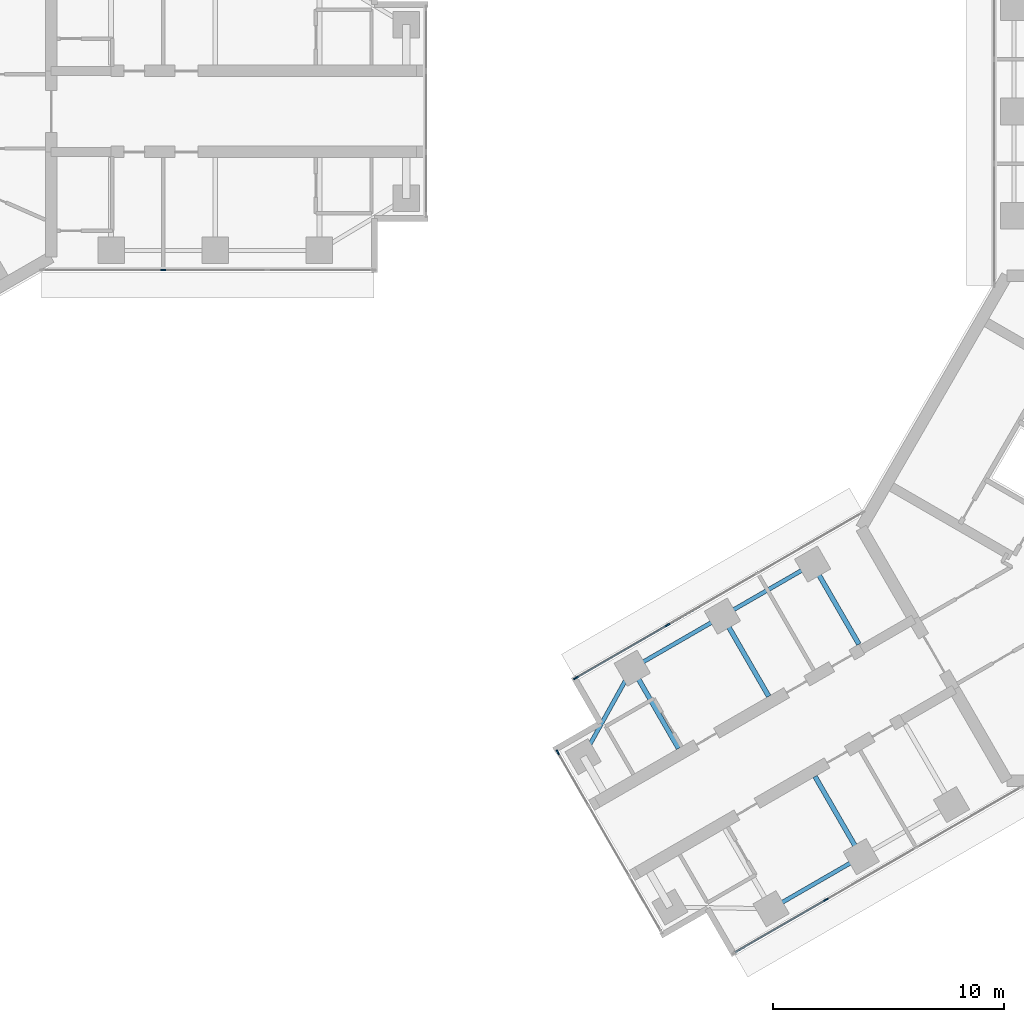
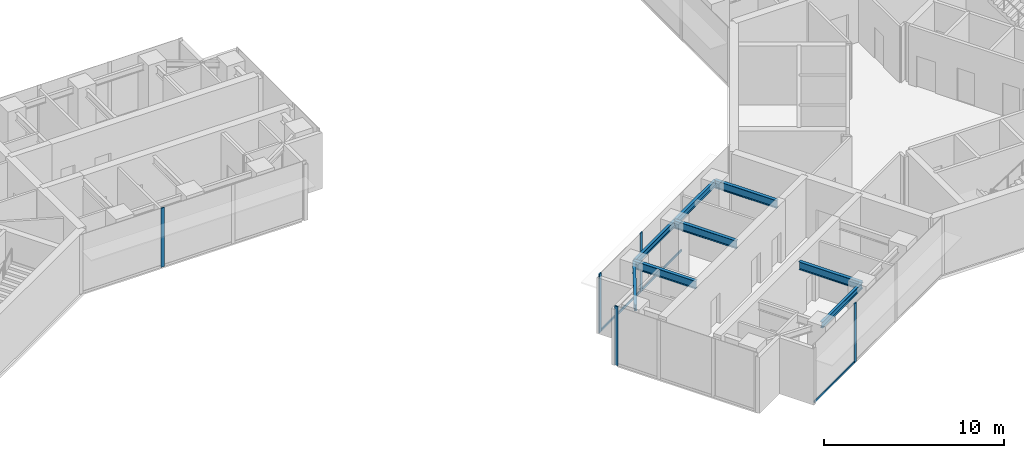
# One storey, part 3 of 17: 8 beams, 8 members, 4 elements without a shape of their own.
"""IFC4 building model written with IfcOpenShell, lengths in metres."""

import ifcopenshell
import ifcopenshell.guid

model = None  # the IFC model being written
_history = None  # IfcOwnerHistory: only IFC2X3 demands one
_inside = {}  # id of a spatial element -> (the spatial element, [elements in it])
_under = {}  # id of a project, library or spatial element -> (it, [spatial elements below it])
_declared = {}  # id of a project -> (the project, [libraries it declares])
_typed = {}  # id of a type object -> (the type object, [elements of that type])
_made_of = {}  # id of a material, layer set ... -> (it, [elements and type objects made of it])


def new_model(schema):
    """Start an empty IFC model of exactly this schema.

    Asked for "IFC4X3", IfcOpenShell would pick the latest addendum, in which some entities
    have other attributes; the version numbers below select the first issue.
    IFC2X3 requires an IfcOwnerHistory on every rooted entity: one is made here for all.
    """
    global model, _history
    if schema == "IFC4X3":
        model = ifcopenshell.file(schema_version=(4, 3, 0, 0))
    else:
        model = ifcopenshell.file(schema=schema)
    _inside.clear()
    _under.clear()
    _declared.clear()
    _typed.clear()
    _made_of.clear()
    _history = None
    if model.schema == "IFC2X3":
        org = make("IfcOrganization", Name="unknown")
        user = make(
            "IfcPersonAndOrganization",
            ThePerson=make("IfcPerson", FamilyName="unknown"),
            TheOrganization=org,
        )
        app = make(
            "IfcApplication",
            ApplicationDeveloper=org,
            Version="unknown",
            ApplicationFullName="unknown",
            ApplicationIdentifier="unknown",
        )
        _history = make(
            "IfcOwnerHistory",
            OwningUser=user,
            OwningApplication=app,
            ChangeAction="ADDED",
            CreationDate=0,
        )
    return model


def make(cls, **values):
    """One entity of the class cls with the attributes given. An attribute that is None is left unset."""
    return model.create_entity(
        cls, **{name: value for name, value in values.items() if value is not None}
    )


def rooted(cls, **values):
    """An entity with a GlobalId (a new one), such as an element, a storey or a relation."""
    return make(cls, GlobalId=ifcopenshell.guid.new(), OwnerHistory=_history, **values)


def si_unit(unit_type, name, prefix=None):
    """IfcSIUnit, for example si_unit("LENGTHUNIT", "METRE", prefix="MILLI")."""
    return make("IfcSIUnit", UnitType=unit_type, Prefix=prefix, Name=name)


def assignment(units):
    """IfcUnitAssignment: the units of a project."""
    return None if units is None else make("IfcUnitAssignment", Units=units)


def point(xyz):
    """IfcCartesianPoint."""
    return None if xyz is None else make("IfcCartesianPoint", Coordinates=xyz)


def direction(xyz):
    """IfcDirection."""
    return None if xyz is None else make("IfcDirection", DirectionRatios=xyz)


def frame(location, z_axis=None, x_axis=None):
    """IfcAxis2Placement3D, a coordinate frame: its origin and axes. An axis left out is left unset."""
    return make(
        "IfcAxis2Placement3D",
        Location=point(location),
        Axis=direction(z_axis),
        RefDirection=direction(x_axis),
    )


def frame_2d(location, x_axis=None):
    """IfcAxis2Placement2D, a coordinate frame in the plane: its origin and x axis."""
    return make(
        "IfcAxis2Placement2D", Location=point(location), RefDirection=direction(x_axis)
    )


def origin():
    """The frame at (0, 0, 0) with its axes left unset."""
    return frame((0.0, 0.0, 0.0))


def origin_2d():
    """The frame at (0, 0) in the plane with its x axis left unset."""
    return frame_2d((0.0, 0.0))


def place(relative_to, where):
    """IfcLocalPlacement: puts the frame where relative to a parent placement (None: the world)."""
    return make(
        "IfcLocalPlacement", PlacementRelTo=relative_to, RelativePlacement=where
    )


def context(
    kind, dimensions, precision=None, world=None, true_north=None, identifier=None
):
    """IfcGeometricRepresentationContext, for example the 3D "Model" context."""
    return make(
        "IfcGeometricRepresentationContext",
        ContextIdentifier=identifier,
        ContextType=kind,
        CoordinateSpaceDimension=dimensions,
        Precision=precision,
        WorldCoordinateSystem=world,
        TrueNorth=true_north,
    )


def subcontext(parent, identifier, kind, view, scale=None):
    """IfcGeometricRepresentationSubContext, for example "Body" below "Model"."""
    return make(
        "IfcGeometricRepresentationSubContext",
        ContextIdentifier=identifier,
        ContextType=kind,
        ParentContext=parent,
        TargetScale=scale,
        TargetView=view,
    )


def project(units=None, contexts=None):
    """IfcProject with its units and contexts."""
    return rooted(
        "IfcProject",
        Name="project",
        RepresentationContexts=contexts,
        UnitsInContext=assignment(units),
    )


def spatial(cls, under=None, at=None, **own):
    """A site, building, storey or space (cls), placed at a placement, below another one or the project."""
    s = rooted(cls, ObjectPlacement=at, **own)
    if under is not None:
        _under.setdefault(under.id(), (under, []))[1].append(s)
    return s


def profile(cls, at=None, kind="AREA", **sizes):
    """A parametric profile (cls). Its sizes go by their IFC names, for example OverallWidth=200.0."""
    return make(cls, ProfileType=kind, Position=at, **sizes)


def rectangle(**sizes):
    """IfcRectangleProfileDef."""
    return profile("IfcRectangleProfileDef", **sizes)


def i_section(**sizes):
    """IfcIShapeProfileDef."""
    return profile("IfcIShapeProfileDef", **sizes)


def extrude(swept, where, along, depth):
    """IfcExtrudedAreaSolid: the profile swept, set in the frame where, extruded along a direction by depth."""
    return make(
        "IfcExtrudedAreaSolid",
        SweptArea=swept,
        Position=where,
        ExtrudedDirection=direction(along),
        Depth=depth,
    )


def shape(context_of_items, identifier, shape_type, items):
    """IfcShapeRepresentation: the items that make up one representation, for example the "Body"."""
    return make(
        "IfcShapeRepresentation",
        ContextOfItems=context_of_items,
        RepresentationIdentifier=identifier,
        RepresentationType=shape_type,
        Items=items,
    )


def material(Name=None, Category=None):
    """IfcMaterial."""
    return make("IfcMaterial", Name=Name, Category=Category)


def material_profile(
    of_material, cross_section, Name=None, Category=None, Priority=None
):
    """IfcMaterialProfile: a cross section and its material."""
    return make(
        "IfcMaterialProfile",
        Name=Name,
        Material=of_material,
        Profile=cross_section,
        Priority=Priority,
        Category=Category,
    )


def profile_set(profiles, Name=None, composite=None):
    """IfcMaterialProfileSet."""
    return make(
        "IfcMaterialProfileSet",
        Name=Name,
        MaterialProfiles=profiles,
        CompositeProfile=composite,
    )


def made_of(thing, what):
    """Note that an element or type object is made of a material, layer set ...; save() writes the relation."""
    if what is not None:
        _made_of.setdefault(what.id(), (what, []))[1].append(thing)
    return thing


def type_object(cls, material=None, **own):
    """A type object (cls), such as IfcWallType, which elements share."""
    return made_of(rooted(cls, **own), material)


def element(
    cls,
    number,
    at=None,
    inside=None,
    cuts=None,
    type_object=None,
    material=None,
    context=None,
    identifier="Body",
    shape_type=None,
    held_by="IfcProductDefinitionShape",
    body=None,
    shapes=None,
    **own,
):
    """One element of the class cls, such as IfcWall. Its Tag is "e" and its number.

    at: its placement. inside: the storey or other place that contains it. cuts: it is an
    opening in that element (IfcRelVoidsElement). A single representation is given by context,
    identifier, shape_type and body (its items); several are given by shapes. held_by: the class
    of the entity that holds the representations. save() writes the other relations.
    """
    e = rooted(cls, Tag="e%d" % number, ObjectPlacement=at, **own)
    if body is not None:
        shapes = [shape(context, identifier, shape_type, body)]
    if shapes is not None:
        e.Representation = make(held_by, Representations=shapes)
    if inside is not None:
        _inside.setdefault(inside.id(), (inside, []))[1].append(e)
    if cuts is not None:
        rooted(
            "IfcRelVoidsElement", RelatingBuildingElement=cuts, RelatedOpeningElement=e
        )
    if type_object is not None:
        _typed.setdefault(type_object.id(), (type_object, []))[1].append(e)
    return made_of(e, material)


def aggregate(whole, parts):
    """IfcRelAggregates: a whole, such as a stair, and the parts it consists of."""
    return rooted("IfcRelAggregates", RelatingObject=whole, RelatedObjects=parts)


def save(model, path):
    """Write the relations noted so far, then the file.

    IfcRelAggregates (storeys below a building ...), IfcRelContainedInSpatialStructure (elements
    in a storey), IfcRelDefinesByType, IfcRelAssociatesMaterial and IfcRelDeclares: one each for
    every whole, place, type object, material and project.
    """
    for whole, parts in _under.values():
        aggregate(whole, parts)
    for where, things in _inside.values():
        rooted(
            "IfcRelContainedInSpatialStructure",
            RelatedElements=things,
            RelatingStructure=where,
        )
    for kind, things in _typed.values():
        rooted("IfcRelDefinesByType", RelatedObjects=things, RelatingType=kind)
    for what, things in _made_of.values():
        rooted("IfcRelAssociatesMaterial", RelatedObjects=things, RelatingMaterial=what)
    for by, libraries in _declared.values():
        rooted("IfcRelDeclares", RelatingContext=by, RelatedDefinitions=libraries)
    model.write(path)


model = new_model("IFC4")

# Units and contexts
model_context = context("Model", 3, precision=1e-05, world=origin(), true_north=direction((0.0, 1.0)))
body_context = subcontext(model_context, "Body", "Model", "MODEL_VIEW")
ifc_project = project(units=[si_unit("LENGTHUNIT", "METRE"), si_unit("AREAUNIT", "SQUARE_METRE"), si_unit("VOLUMEUNIT", "CUBIC_METRE"), si_unit("PLANEANGLEUNIT", "RADIAN"), si_unit("MASSUNIT", "GRAM", prefix="KILO")], contexts=[model_context])

# Site, building, storey
site_placement = place(None, origin())
site = spatial("IfcSite", under=ifc_project, at=site_placement, CompositionType="ELEMENT")
building_placement = place(site_placement, origin())
building = spatial("IfcBuilding", under=site, at=building_placement, Name="Upepo Twin Towers", CompositionType="ELEMENT")
storey_placement = place(building_placement, frame((0.0, 0.0, 202.5)))
storey = spatial("IfcBuildingStorey", under=building, at=storey_placement, Name="L49", CompositionType="ELEMENT", Elevation=202.5)

# Beams
ifc_material_1 = material(Name="Steel S355", Category="steel")
ifc_material_profile_1 = material_profile(ifc_material_1, i_section(OverallWidth=0.177978515625, OverallDepth=0.406494140625, WebThickness=0.0078125, FlangeThickness=0.0126953125, FilletRadius=0.01025390625, at=origin_2d()), Name="UB 406x178x60")
ifc_profile_set_1 = profile_set([ifc_material_profile_1], Name="Steel S355")
beam_type_1 = type_object("IfcBeamType", Name="Beam UB 406x178x60", PredefinedType="BEAM", material=ifc_profile_set_1)
beam_1_placement = place(storey_placement, frame((45.91162109375, -32.196044921875, 3.5966796875), z_axis=(-0.866031096941, -0.499990139034, 0.0), x_axis=(0.499990139034, -0.866031096941, 0.0)))
element("IfcBeam", 1, at=beam_1_placement, inside=storey, type_object=beam_type_1, Name="T2 edge beam BL 18.0-22.5", PredefinedType="BEAM", context=body_context, shape_type="SweptSolid", body=[
    extrude(i_section(OverallWidth=0.177978515625, OverallDepth=0.406494140625, WebThickness=0.0078125, FlangeThickness=0.0126953125, FilletRadius=0.01025390625, at=origin_2d()), origin(), (0.0, 0.0, 1.0), 4.5),
])
beam_2_placement = place(storey_placement, frame((43.80859375, -19.553955078125, 3.5966796875), z_axis=(-0.866017533419, -0.500013631625, 0.0), x_axis=(0.500013631625, -0.866017533419, 0.0)))
element("IfcBeam", 2, at=beam_2_placement, inside=storey, type_object=beam_type_1, Name="T2 edge beam BR 13.5-18.0", PredefinedType="BEAM", context=body_context, shape_type="SweptSolid", body=[
    extrude(i_section(OverallWidth=0.177978515625, OverallDepth=0.406494140625, WebThickness=0.0078125, FlangeThickness=0.0126953125, FilletRadius=0.01025390625, at=origin_2d()), origin(), (0.0, 0.0, 1.0), 4.499755859375),
])
beam_3_placement = place(storey_placement, frame((39.91162109375, -21.803955078125, 3.5966796875), z_axis=(-0.866031096941, -0.499990139034, 0.0), x_axis=(0.499990139034, -0.866031096941, 0.0)))
element("IfcBeam", 3, at=beam_3_placement, inside=storey, type_object=beam_type_1, Name="T2 edge beam BR 18.0-22.5", PredefinedType="BEAM", context=body_context, shape_type="SweptSolid", body=[
    extrude(i_section(OverallWidth=0.177978515625, OverallDepth=0.406494140625, WebThickness=0.0078125, FlangeThickness=0.0126953125, FilletRadius=0.01025390625, at=origin_2d()), origin(), (0.0, 0.0, 1.0), 4.5),
])
beam_4_placement = place(storey_placement, frame((36.014404296875, -24.053955078125, 3.5966796875), z_axis=(-0.485363242752, -0.874312600038, 0.0), x_axis=(0.874312600038, -0.485363242752, 0.0)))
element("IfcBeam", 4, at=beam_4_placement, inside=storey, type_object=beam_type_1, Name="T2 nose edge beam BR", PredefinedType="BEAM", context=body_context, shape_type="SweptSolid", body=[
    extrude(i_section(OverallWidth=0.177978515625, OverallDepth=0.406494140625, WebThickness=0.0078125, FlangeThickness=0.0126953125, FilletRadius=0.01025390625, at=origin_2d()), origin(), (0.0, 0.0, 1.0), 4.373046875),
])
ifc_material_2 = material(Name="Steel S355", Category="steel")
ifc_material_profile_2 = material_profile(ifc_material_2, i_section(OverallWidth=0.209228515625, OverallDepth=0.533203125, WebThickness=0.010009765625, FlangeThickness=0.015625, FilletRadius=0.0126953125, at=origin_2d()), Name="UB 533x210x92")
ifc_profile_set_2 = profile_set([ifc_material_profile_2], Name="Steel S355")
beam_type_2 = type_object("IfcBeamType", Name="Beam UB 533x210x92", PredefinedType="BEAM", material=ifc_profile_set_2)
for number, where, z_axis, x_axis, name in (
    (5, (45.91162109375, -32.196044921875, 3.533447265625), (-0.49999894854, 0.866026010844, 0.0), (-0.866026010844, -0.49999894854, 0.0), "T2 girder BL at 18.0"),
    (6, (43.80859375, -19.553955078125, 3.533447265625), (0.49999894854, -0.866026010844, 0.0), (0.866026010844, 0.49999894854, 0.0), "T2 girder BR at 13.5"),
    (7, (39.91162109375, -21.803955078125, 3.533447265625), (0.49999894854, -0.866026010844, 0.0), (0.866026010844, 0.49999894854, 0.0), "T2 girder BR at 18.0"),
    (8, (36.014404296875, -24.053955078125, 3.533447265625), (0.49999894854, -0.866026010844, 0.0), (0.866026010844, 0.49999894854, 0.0), "T2 girder BR at 22.5"),
):
    element("IfcBeam", number, at=place(storey_placement, frame(where, z_axis=z_axis, x_axis=x_axis)), inside=storey, type_object=beam_type_2, Name=name, PredefinedType="BEAM", context=body_context, shape_type="SweptSolid", body=[
        extrude(i_section(OverallWidth=0.209228515625, OverallDepth=0.533203125, WebThickness=0.010009765625, FlangeThickness=0.015625, FilletRadius=0.0126953125, at=origin_2d()), origin(), (0.0, 0.0, 1.0), 4.0),
    ])

# Curtain wall, member
ifc_material_3 = material(Name="Aluminium and fritted glass", Category="aluminium")
curtain_wall_type = type_object("IfcCurtainWallType", Name="Tower curtain wall TW3, fritted glass", PredefinedType="NOTDEFINED", material=ifc_material_3)
curtain_wall_1_placement = place(storey_placement, origin())
curtain_wall_1 = element("IfcCurtainWall", 9, at=curtain_wall_1_placement, inside=storey, type_object=curtain_wall_type, Name="T1 L49 wing A flank R curtain wall", PredefinedType="NOTDEFINED")
ifc_material_4 = material(Name="Aluminium mullion", Category="aluminium")
ifc_material_profile_3 = material_profile(ifc_material_4, rectangle(XDim=0.06494140625, YDim=0.22509765625, at=origin_2d()), Name="MULLION 65x225")
ifc_profile_set_3 = profile_set([ifc_material_profile_3], Name="Aluminium mullion")
member_type_1 = type_object("IfcMemberType", Name="Mullion 65x225 TW3", PredefinedType="MULLION", material=ifc_profile_set_3)
member_1_placement = place(storey_placement, frame((15.75, -6.85009765625, 0.0), z_axis=(0.0, 0.0, 1.0), x_axis=(0.0, -1.0, 0.0)))
member_1 = element("IfcMember", 10, at=member_1_placement, type_object=member_type_1, Name="T1 L49 wing A flank R curtain wall mullion 3", PredefinedType="MULLION", context=body_context, shape_type="SweptSolid", body=[
    extrude(rectangle(XDim=0.06494140625, YDim=0.22509765625, at=origin_2d()), origin(), (0.0, 0.0, 1.0), 4.0),
])
aggregate(curtain_wall_1, [member_1])

curtain_wall_2_placement = place(storey_placement, origin())
curtain_wall_2 = element("IfcCurtainWall", 11, at=curtain_wall_2_placement, inside=storey, type_object=curtain_wall_type, Name="T2 L49 wing B flank L curtain wall", PredefinedType="NOTDEFINED")
member_2_placement = place(storey_placement, frame((44.387939453125, -34.057373046875, 0.0), z_axis=(0.0, 0.0, 1.0), x_axis=(0.500000026527, -0.866025388469, 0.0)))
member_2 = element("IfcMember", 12, at=member_2_placement, type_object=member_type_1, Name="T2 L49 wing B flank L curtain wall mullion 3", PredefinedType="MULLION", context=body_context, shape_type="SweptSolid", body=[
    extrude(rectangle(XDim=0.06494140625, YDim=0.22509765625, at=origin_2d()), origin(), (0.0, 0.0, 1.0), 4.0),
])

# Curtain wall, members
curtain_wall_3_placement = place(storey_placement, origin())
curtain_wall_3 = element("IfcCurtainWall", 13, at=curtain_wall_3_placement, inside=storey, type_object=curtain_wall_type, Name="T2 L49 wing B flank R curtain wall", PredefinedType="NOTDEFINED")
member_3_placement = place(storey_placement, frame((33.58251953125, -24.4765625, 0.0), z_axis=(0.0, 0.0, 1.0), x_axis=(-0.500000026527, 0.866025388469, 0.0)))
member_3 = element("IfcMember", 14, at=member_3_placement, type_object=member_type_1, Name="T2 L49 wing B flank R curtain wall mullion 1", PredefinedType="MULLION", context=body_context, shape_type="SweptSolid", body=[
    extrude(rectangle(XDim=0.06494140625, YDim=0.22509765625, at=origin_2d()), origin(), (0.0, 0.0, 1.0), 4.0),
])
member_4_placement = place(storey_placement, frame((37.5380859375, -22.192626953125, 0.0), z_axis=(0.0, 0.0, 1.0), x_axis=(-0.500000026527, 0.866025388469, 0.0)))
member_4 = element("IfcMember", 15, at=member_4_placement, type_object=member_type_1, Name="T2 L49 wing B flank R curtain wall mullion 2", PredefinedType="MULLION", context=body_context, shape_type="SweptSolid", body=[
    extrude(rectangle(XDim=0.06494140625, YDim=0.22509765625, at=origin_2d()), origin(), (0.0, 0.0, 1.0), 4.0),
])

# Curtain wall, member
curtain_wall_4_placement = place(storey_placement, origin())
curtain_wall_4 = element("IfcCurtainWall", 16, at=curtain_wall_4_placement, inside=storey, type_object=curtain_wall_type, Name="T2 L49 wing B nose curtain wall", PredefinedType="NOTDEFINED")
member_5_placement = place(storey_placement, frame((32.796875, -27.68115234375, 0.0), z_axis=(0.0, 0.0, 1.0), x_axis=(0.866025386174, 0.500000030502, 0.0)))
member_5 = element("IfcMember", 17, at=member_5_placement, type_object=member_type_1, Name="T2 L49 wing B nose curtain wall mullion 1", PredefinedType="MULLION", context=body_context, shape_type="SweptSolid", body=[
    extrude(rectangle(XDim=0.06494140625, YDim=0.22509765625, at=origin_2d()), origin(), (0.0, 0.0, 1.0), 4.0),
])
aggregate(curtain_wall_4, [member_5])

# Member
ifc_material_5 = material(Name="Aluminium transom", Category="aluminium")
ifc_material_profile_4 = material_profile(ifc_material_5, rectangle(XDim=0.06494140625, YDim=0.14990234375, at=origin_2d()), Name="TRANSOM 65x150")
ifc_profile_set_4 = profile_set([ifc_material_profile_4], Name="Aluminium transom")
member_type_2 = type_object("IfcMemberType", Name="Transom 65x150 TW3", PredefinedType="USERDEFINED", material=ifc_profile_set_4)
member_6_placement = place(storey_placement, frame((44.35986328125, -34.073486328125, 0.074951171875), z_axis=(-0.866035699072, -0.499982167615, 0.0), x_axis=(0.499982167615, -0.866035699072, 0.0)))
member_6 = element("IfcMember", 18, at=member_6_placement, type_object=member_type_2, Name="T2 L49 wing B flank L curtain wall transom 3", ObjectType="TRANSOM", PredefinedType="USERDEFINED", context=body_context, shape_type="SweptSolid", body=[
    extrude(rectangle(XDim=0.06494140625, YDim=0.14990234375, at=origin_2d()), origin(), (0.0, 0.0, 1.0), 4.502685546875),
])

aggregate(curtain_wall_2, [member_2, member_6])

member_7_placement = place(storey_placement, frame((33.610595703125, -24.460205078125, 0.074951171875), z_axis=(0.866022143554, 0.500005646842, 0.0), x_axis=(-0.500005646842, 0.866022143554, 0.0)))
member_7 = element("IfcMember", 19, at=member_7_placement, type_object=member_type_2, Name="T2 L49 wing B flank R curtain wall transom 1", ObjectType="TRANSOM", PredefinedType="USERDEFINED", context=body_context, shape_type="SweptSolid", body=[
    extrude(rectangle(XDim=0.06494140625, YDim=0.14990234375, at=origin_2d()), origin(), (0.0, 0.0, 1.0), 4.50244140625),
])

member_8_placement = place(storey_placement, frame((37.566162109375, -22.176513671875, 0.074951171875), z_axis=(0.866022410713, 0.500005184116, 0.0), x_axis=(-0.500005184116, 0.866022410713, 0.0)))
member_8 = element("IfcMember", 20, at=member_8_placement, type_object=member_type_2, Name="T2 L49 wing B flank R curtain wall transom 2", ObjectType="TRANSOM", PredefinedType="USERDEFINED", context=body_context, shape_type="SweptSolid", body=[
    extrude(rectangle(XDim=0.06494140625, YDim=0.14990234375, at=origin_2d()), origin(), (0.0, 0.0, 1.0), 4.43505859375),
])

aggregate(curtain_wall_3, [member_3, member_4, member_7, member_8])

save(model, "model.ifc")
